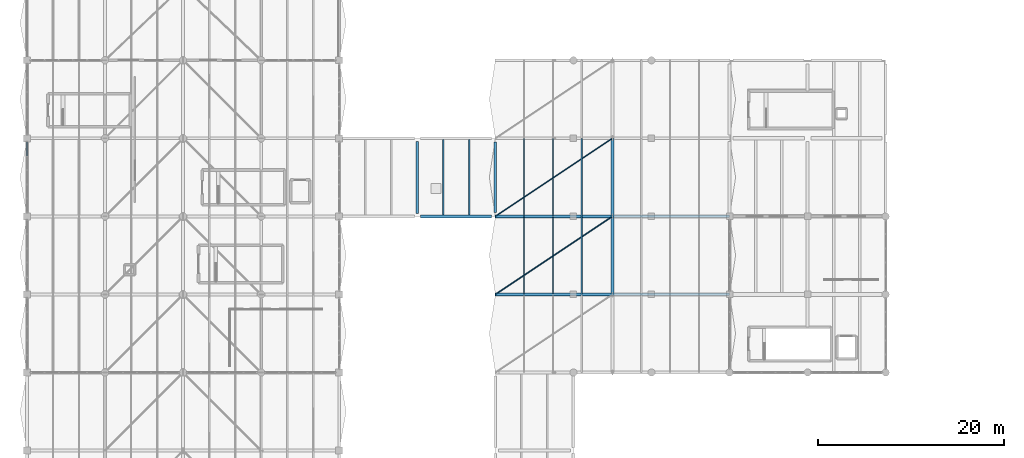
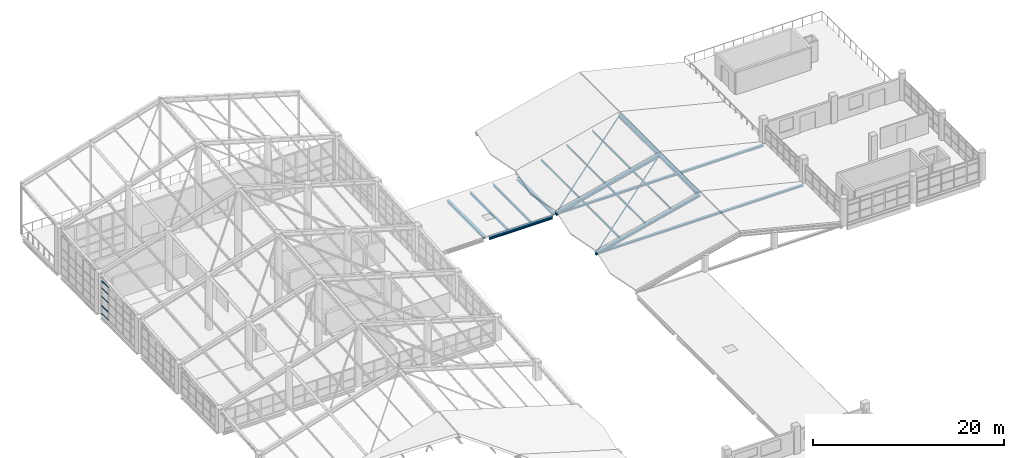
# One storey, part 42 of 95: 19 members, 5 beams, 1 element without a shape of its own.
"""IFC4 building model written with IfcOpenShell, lengths in metres."""

from ifc_helpers import new_model, si_unit, direction, frame, origin, origin_2d, place, context, subcontext, project, spatial, hollow_rectangle, hollow_circle, i_section, extrude, material, layer, layer_set, material_profile, profile_set, type_object, element, aggregate, save


model = new_model("IFC4")

# Units and contexts
model_context = context("Model", 3, precision=1e-05, world=origin(), true_north=direction((0.0, 1.0)))
body_context = subcontext(model_context, "Body", "Model", "MODEL_VIEW")
ifc_project = project(units=[si_unit("LENGTHUNIT", "METRE"), si_unit("AREAUNIT", "SQUARE_METRE"), si_unit("VOLUMEUNIT", "CUBIC_METRE"), si_unit("PLANEANGLEUNIT", "RADIAN"), si_unit("MASSUNIT", "GRAM", prefix="KILO"), si_unit("THERMODYNAMICTEMPERATUREUNIT", "KELVIN"), si_unit("POWERUNIT", "WATT")], contexts=[model_context])

# Site, building, storey
site_placement = place(None, origin())
site = spatial("IfcSite", under=ifc_project, at=site_placement, CompositionType="ELEMENT")
building_placement = place(site_placement, origin())
building = spatial("IfcBuilding", under=site, at=building_placement, Name="Mavoryth Pier Ferry Terminal", CompositionType="ELEMENT")
storey_placement = place(building_placement, frame((0.0, 0.0, 9.60009765625)))
storey = spatial("IfcBuildingStorey", under=building, at=storey_placement, Name="L02", CompositionType="ELEMENT", Elevation=9.60009765625)

# Beam
ifc_material_1 = material(Name="Steel S355J2", Category="steel")
ifc_material_profile_1 = material_profile(ifc_material_1, i_section(OverallWidth=0.300048828125, OverallDepth=0.31005859375, WebThickness=0.009033203125, FlangeThickness=0.015380859375, FilletRadius=0.027099609375, at=origin_2d()), Name="HEA 320", Category="steel")
ifc_profile_set_1 = profile_set([ifc_material_profile_1], Name="Steel S355J2 - HEA 320")
beam_type_1 = type_object("IfcBeamType", Name="Beam-Steel-HEA320", PredefinedType="BEAM", material=ifc_profile_set_1)
beam_1_placement = place(storey_placement, frame((42.0, 89.52490234375, -0.315185546875), z_axis=(0.0, 1.0, 0.0), x_axis=(-1.0, 0.0, 0.0)))
element("IfcBeam", 1, at=beam_1_placement, inside=storey, type_object=beam_type_1, Name="Beam B02-SB06-0691", PredefinedType="BEAM", context=body_context, shape_type="SweptSolid", body=[
    extrude(i_section(OverallWidth=0.300048828125, OverallDepth=0.31005859375, WebThickness=0.009033203125, FlangeThickness=0.015380859375, FilletRadius=0.027099609375, at=origin_2d()), origin(), (0.0, 0.0, 1.0), 7.75),
])

# Members
ifc_material_profile_2 = material_profile(ifc_material_1, hollow_circle(Radius=0.06982421875, WallThickness=0.008056640625, at=origin_2d()), Name="CHS 139.7x8.0", Category="steel")
ifc_profile_set_2 = profile_set([ifc_material_profile_2], Name="Steel S355J2 - CHS 139.7x8.0")
member_type_1 = type_object("IfcMemberType", Name="Brace-Tie-CHS140", PredefinedType="BRACE", material=ifc_profile_set_2)
for number, where, z_axis, x_axis, name in (
    (2, (50.39990234375, 80.800048828125, -0.045654296875), (0.814710583131, 0.543129864817, 0.203117246137), (-0.55469275529, 0.832055254913, 0.0), "Steel Member MB-L02-0220"),
    (3, (50.39990234375, 89.199951171875, -0.045654296875), (0.814703597956, 0.543140993894, 0.203115504648), (-0.554703916643, 0.832047814047, 0.0), "Steel Member MB-L02-0228"),
):
    element("IfcMember", number, at=place(storey_placement, frame(where, z_axis=z_axis, x_axis=x_axis)), inside=storey, type_object=member_type_1, Name=name, PredefinedType="BRACE", context=body_context, shape_type="SweptSolid", body=[
        extrude(hollow_circle(Radius=0.06982421875, WallThickness=0.008056640625, at=origin_2d()), origin(), (0.0, 0.0, 1.0), 15.4658203125),
    ])
ifc_material_profile_3 = material_profile(ifc_material_1, i_section(OverallWidth=0.300048828125, OverallDepth=0.489990234375, WebThickness=0.011962890625, FlangeThickness=0.02294921875, FilletRadius=0.027099609375, at=origin_2d()), Name="HEA 500", Category="steel")
ifc_profile_set_3 = profile_set([ifc_material_profile_3], Name="Steel S355J2 - HEA 500")
member_type_2 = type_object("IfcMemberType", Name="Chord-Ridge-HEA500", PredefinedType="CHORD", material=ifc_profile_set_3)
member_1_placement = place(storey_placement, frame((63.0, 80.800048828125, 3.095703125), z_axis=(0.0, 1.0, 0.0), x_axis=(-1.0, 0.0, 0.0)))
element("IfcMember", 4, at=member_1_placement, inside=storey, type_object=member_type_2, Name="Steel Member MB-L02-0213", PredefinedType="CHORD", context=body_context, shape_type="SweptSolid", body=[
    extrude(i_section(OverallWidth=0.300048828125, OverallDepth=0.489990234375, WebThickness=0.011962890625, FlangeThickness=0.02294921875, FilletRadius=0.027099609375, at=origin_2d()), origin(), (0.0, 0.0, 1.0), 8.39990234375),
])
member_2_placement = place(storey_placement, frame((63.0, 89.199951171875, 3.095703125), z_axis=(0.0, 1.0, 0.0), x_axis=(-1.0, 0.0, 0.0)))
element("IfcMember", 5, at=member_2_placement, inside=storey, type_object=member_type_2, Name="Steel Member MB-L02-0221", PredefinedType="CHORD", context=body_context, shape_type="SweptSolid", body=[
    extrude(i_section(OverallWidth=0.300048828125, OverallDepth=0.489990234375, WebThickness=0.011962890625, FlangeThickness=0.02294921875, FilletRadius=0.027099609375, at=origin_2d()), origin(), (0.0, 0.0, 1.0), 8.400146484375),
])
ifc_material_profile_4 = material_profile(ifc_material_1, i_section(OverallWidth=0.260009765625, OverallDepth=0.25, WebThickness=0.007568359375, FlangeThickness=0.012451171875, FilletRadius=0.02392578125, at=origin_2d()), Name="HEA 260", Category="steel")
ifc_profile_set_4 = profile_set([ifc_material_profile_4], Name="Steel S355J2 - HEA 260")
member_type_3 = type_object("IfcMemberType", Name="Chord-Tie-HEA260", PredefinedType="CHORD", material=ifc_profile_set_4)
for number, where, z_axis, x_axis, name in (
    (6, (50.39990234375, 80.800048828125, -0.045654296875), (1.0, 0.0, 0.0), (0.0, 1.0, 0.0), "Steel Member MB-L02-0195"),
    (7, (50.39990234375, 89.199951171875, -0.045654296875), (1.0, 0.0, 0.0), (0.0, 1.0, 0.0), "Steel Member MB-L02-0198"),
):
    element("IfcMember", number, at=place(storey_placement, frame(where, z_axis=z_axis, x_axis=x_axis)), inside=storey, type_object=member_type_3, Name=name, PredefinedType="CHORD", context=body_context, shape_type="SweptSolid", body=[
        extrude(i_section(OverallWidth=0.260009765625, OverallDepth=0.25, WebThickness=0.007568359375, FlangeThickness=0.012451171875, FilletRadius=0.02392578125, at=origin_2d()), origin(), (0.0, 0.0, 1.0), 25.2001953125),
    ])

# Beams
ifc_material_profile_5 = material_profile(ifc_material_1, i_section(OverallWidth=0.14990234375, OverallDepth=0.300048828125, WebThickness=0.007080078125, FlangeThickness=0.0107421875, FilletRadius=0.014892578125, at=origin_2d()), Name="IPE 300", Category="steel")
ifc_profile_set_5 = profile_set([ifc_material_profile_5], Name="Steel S355J2 - IPE 300")
beam_type_2 = type_object("IfcBeamType", Name="Joist-Steel-IPE300", PredefinedType="JOIST", material=ifc_profile_set_5)
for number, where, z_axis, x_axis, name in (
    (8, (44.800048828125, 89.35009765625, -0.31005859375), (0.0, 1.0, 0.0), (-1.0, 0.0, 0.0), "Beam B02-SJ04-0695"),
    (9, (47.60009765625, 89.35009765625, -0.31005859375), (0.0, 1.0, 0.0), (-1.0, 0.0, 0.0), "Beam B02-SJ04-0696"),
):
    element("IfcBeam", number, at=place(storey_placement, frame(where, z_axis=z_axis, x_axis=x_axis)), inside=storey, type_object=beam_type_2, Name=name, PredefinedType="JOIST", context=body_context, shape_type="SweptSolid", body=[
        extrude(i_section(OverallWidth=0.14990234375, OverallDepth=0.300048828125, WebThickness=0.007080078125, FlangeThickness=0.0107421875, FilletRadius=0.014892578125, at=origin_2d()), origin(), (0.0, 0.0, 1.0), 8.099853515625),
    ])

# Members
ifc_material_profile_6 = material_profile(ifc_material_1, i_section(OverallWidth=0.1201171875, OverallDepth=0.239990234375, WebThickness=0.006103515625, FlangeThickness=0.009765625, FilletRadius=0.014892578125, at=origin_2d()), Name="IPE 240", Category="steel")
ifc_profile_set_6 = profile_set([ifc_material_profile_6], Name="Steel S355J2 - IPE 240")
member_type_4 = type_object("IfcMemberType", Name="Purlin-Roof-IPE240", PredefinedType="PURLIN", material=ifc_profile_set_6)
for number, where, z_axis, x_axis, name in (
    (10, (53.5, 80.800048828125, 0.730712890625), (0.0, 1.0, 0.0), (-1.0, 0.0, 0.0), "Steel Member MB-L02-0214"),
    (11, (56.60009765625, 80.800048828125, 1.50732421875), (0.0, 1.0, 0.0), (-1.0, 0.0, 0.0), "Steel Member MB-L02-0215"),
    (12, (59.699951171875, 80.800048828125, 2.28369140625), (0.0, 1.0, 0.0), (-1.0, 0.0, 0.0), "Steel Member MB-L02-0216"),
):
    element("IfcMember", number, at=place(storey_placement, frame(where, z_axis=z_axis, x_axis=x_axis)), inside=storey, type_object=member_type_4, Name=name, PredefinedType="PURLIN", context=body_context, shape_type="SweptSolid", body=[
        extrude(i_section(OverallWidth=0.1201171875, OverallDepth=0.239990234375, WebThickness=0.006103515625, FlangeThickness=0.009765625, FilletRadius=0.014892578125, at=origin_2d()), origin(), (0.0, 0.0, 1.0), 8.39990234375),
    ])
for number, where, z_axis, x_axis, name in (
    (13, (53.5, 89.199951171875, 0.730712890625), (0.0, 1.0, 0.0), (-1.0, 0.0, 0.0), "Steel Member MB-L02-0222"),
    (14, (56.60009765625, 89.199951171875, 1.50732421875), (0.0, 1.0, 0.0), (-1.0, 0.0, 0.0), "Steel Member MB-L02-0223"),
    (15, (59.699951171875, 89.199951171875, 2.28369140625), (0.0, 1.0, 0.0), (-1.0, 0.0, 0.0), "Steel Member MB-L02-0224"),
):
    element("IfcMember", number, at=place(storey_placement, frame(where, z_axis=z_axis, x_axis=x_axis)), inside=storey, type_object=member_type_4, Name=name, PredefinedType="PURLIN", context=body_context, shape_type="SweptSolid", body=[
        extrude(i_section(OverallWidth=0.1201171875, OverallDepth=0.239990234375, WebThickness=0.006103515625, FlangeThickness=0.009765625, FilletRadius=0.014892578125, at=origin_2d()), origin(), (0.0, 0.0, 1.0), 8.400146484375),
    ])
ifc_material_profile_7 = material_profile(ifc_material_1, i_section(OverallWidth=0.300048828125, OverallDepth=0.340087890625, WebThickness=0.011962890625, FlangeThickness=0.021484375, FilletRadius=0.027099609375, at=origin_2d()), Name="HEB 340", Category="steel")
ifc_profile_set_7 = profile_set([ifc_material_profile_7], Name="Steel S355J2 - HEB 340")
member_type_5 = type_object("IfcMemberType", Name="Rafter-Pitched-HEB340", PredefinedType="RAFTER", material=ifc_profile_set_7)
member_3_placement = place(storey_placement, frame((50.39990234375, 80.800048828125, -0.045654296875), z_axis=(0.970299337146, 0.0, 0.241907412731), x_axis=(0.0, 1.0, 0.0)))
element("IfcMember", 16, at=member_3_placement, inside=storey, type_object=member_type_5, Name="Steel Member MB-L02-0193", PredefinedType="RAFTER", context=body_context, shape_type="SweptSolid", body=[
    extrude(i_section(OverallWidth=0.300048828125, OverallDepth=0.340087890625, WebThickness=0.011962890625, FlangeThickness=0.021484375, FilletRadius=0.027099609375, at=origin_2d()), origin(), (0.0, 0.0, 1.0), 12.98583984375),
])
ifc_material_profile_8 = material_profile(ifc_material_1, i_section(OverallWidth=0.300048828125, OverallDepth=0.39990234375, WebThickness=0.013427734375, FlangeThickness=0.02392578125, FilletRadius=0.027099609375, at=origin_2d()), Name="HEB 400", Category="steel")
ifc_profile_set_8 = profile_set([ifc_material_profile_8], Name="Steel S355J2 - HEB 400")
member_type_6 = type_object("IfcMemberType", Name="Rafter-Pitched-HEB400", PredefinedType="RAFTER", material=ifc_profile_set_8)
member_4_placement = place(storey_placement, frame((50.39990234375, 89.199951171875, -0.045654296875), z_axis=(0.970299337146, 0.0, 0.241907412731), x_axis=(0.0, 1.0, 0.0)))
element("IfcMember", 17, at=member_4_placement, inside=storey, type_object=member_type_6, Name="Steel Member MB-L02-0196", PredefinedType="RAFTER", context=body_context, shape_type="SweptSolid", body=[
    extrude(i_section(OverallWidth=0.300048828125, OverallDepth=0.39990234375, WebThickness=0.013427734375, FlangeThickness=0.02392578125, FilletRadius=0.027099609375, at=origin_2d()), origin(), (0.0, 0.0, 1.0), 12.98583984375),
])

# Beams
ifc_material_profile_9 = material_profile(ifc_material_1, i_section(OverallWidth=0.300048828125, OverallDepth=0.320068359375, WebThickness=0.011474609375, FlangeThickness=0.0205078125, FilletRadius=0.027099609375, at=origin_2d()), Name="HEB 320", Category="steel")
ifc_profile_set_9 = profile_set([ifc_material_profile_9], Name="Steel S355J2 - HEB 320")
beam_type_3 = type_object("IfcBeamType", Name="Spandrel-Steel-HEB320", PredefinedType="SPANDREL", material=ifc_profile_set_9)
beam_2_placement = place(storey_placement, frame((42.324951171875, 89.199951171875, -0.320068359375), z_axis=(1.0, 0.0, 0.0), x_axis=(0.0, 1.0, 0.0)))
element("IfcBeam", 18, at=beam_2_placement, inside=storey, type_object=beam_type_3, Name="Beam B02-SP04-0688", PredefinedType="SPANDREL", context=body_context, shape_type="SweptSolid", body=[
    extrude(i_section(OverallWidth=0.300048828125, OverallDepth=0.320068359375, WebThickness=0.011474609375, FlangeThickness=0.0205078125, FilletRadius=0.027099609375, at=origin_2d()), origin(), (0.0, 0.0, 1.0), 7.68505859375),
])
beam_3_placement = place(storey_placement, frame((50.39990234375, 89.590087890625, -0.320068359375), z_axis=(0.0, 1.0, 0.0), x_axis=(-1.0, 0.0, 0.0)))
element("IfcBeam", 19, at=beam_3_placement, inside=storey, type_object=beam_type_3, Name="Beam B02-SP04-0692", PredefinedType="SPANDREL", context=body_context, shape_type="SweptSolid", body=[
    extrude(i_section(OverallWidth=0.300048828125, OverallDepth=0.320068359375, WebThickness=0.011474609375, FlangeThickness=0.0205078125, FilletRadius=0.027099609375, at=origin_2d()), origin(), (0.0, 0.0, 1.0), 7.619873046875),
])

# Curtain wall, members
ifc_material_2 = material(Name="Anodised Aluminium and Solar-Control Low-E Glass", Category="aluminium")
ifc_layer = layer(ifc_material_2, 0.179931640625, Name="Anodised Aluminium and Solar-Control Low-E Glass", Category="aluminium")
ifc_layer_set = layer_set([ifc_layer], Name="Anodised Aluminium and Solar-Control Low-E Glass - CW-Concourse-Mod1400")
curtain_wall_type = type_object("IfcCurtainWallType", Name="CW-Concourse-Mod1400", PredefinedType="USERDEFINED", material=ifc_layer_set)
curtain_wall_placement = place(storey_placement, origin())
curtain_wall = element("IfcCurtainWall", 20, at=curtain_wall_placement, inside=storey, type_object=curtain_wall_type, Name="Curtain Wall CW-0222-028", ObjectType="UNITISED CURTAIN WALL", PredefinedType="USERDEFINED")
ifc_material_3 = material(Name="Anodised Aluminium EN AW-6063", Category="aluminium")
ifc_material_profile_10 = material_profile(ifc_material_3, hollow_rectangle(XDim=0.06005859375, YDim=0.125, WallThickness=0.00390625, InnerFilletRadius=0.00390625, OuterFilletRadius=0.008056640625, at=origin_2d()), Name="AL-TRAN 125x60x4", Category="aluminium")
ifc_profile_set_10 = profile_set([ifc_material_profile_10], Name="Anodised Aluminium EN AW-6063 - AL-TRAN 125x60x4")
member_type_7 = type_object("IfcMemberType", Name="Transom-Alum-125x60", PredefinedType="USERDEFINED", material=ifc_profile_set_10)
member_5_placement = place(storey_placement, frame((0.0, 97.1650390625, 0.02978515625), z_axis=(0.0, -1.0, 0.0), x_axis=(1.0, 0.0, 0.0)))
member_5 = element("IfcMember", 21, at=member_5_placement, type_object=member_type_7, Name="CW01 transom 1.1", ObjectType="TRANSOM", PredefinedType="USERDEFINED", context=body_context, shape_type="SweptSolid", body=[
    extrude(hollow_rectangle(XDim=0.06005859375, YDim=0.125, WallThickness=0.00390625, InnerFilletRadius=0.00390625, OuterFilletRadius=0.008056640625, at=origin_2d()), origin(), (0.0, 0.0, 1.0), 1.43994140625),
])
member_6_placement = place(storey_placement, frame((0.0, 97.1650390625, 1.0498046875), z_axis=(0.0, -1.0, 0.0), x_axis=(1.0, 0.0, 0.0)))
member_6 = element("IfcMember", 22, at=member_6_placement, type_object=member_type_7, Name="CW01 transom 1.2", ObjectType="TRANSOM", PredefinedType="USERDEFINED", context=body_context, shape_type="SweptSolid", body=[
    extrude(hollow_rectangle(XDim=0.06005859375, YDim=0.125, WallThickness=0.00390625, InnerFilletRadius=0.00390625, OuterFilletRadius=0.008056640625, at=origin_2d()), origin(), (0.0, 0.0, 1.0), 1.43994140625),
])
member_7_placement = place(storey_placement, frame((0.0, 97.1650390625, 2.25), z_axis=(0.0, -1.0, 0.0), x_axis=(1.0, 0.0, 0.0)))
member_7 = element("IfcMember", 23, at=member_7_placement, type_object=member_type_7, Name="CW01 transom 1.3", ObjectType="TRANSOM", PredefinedType="USERDEFINED", context=body_context, shape_type="SweptSolid", body=[
    extrude(hollow_rectangle(XDim=0.06005859375, YDim=0.125, WallThickness=0.00390625, InnerFilletRadius=0.00390625, OuterFilletRadius=0.008056640625, at=origin_2d()), origin(), (0.0, 0.0, 1.0), 1.43994140625),
])
member_8_placement = place(storey_placement, frame((0.0, 97.1650390625, 3.2998046875), z_axis=(0.0, -1.0, 0.0), x_axis=(1.0, 0.0, 0.0)))
member_8 = element("IfcMember", 24, at=member_8_placement, type_object=member_type_7, Name="CW01 transom 1.4", ObjectType="TRANSOM", PredefinedType="USERDEFINED", context=body_context, shape_type="SweptSolid", body=[
    extrude(hollow_rectangle(XDim=0.06005859375, YDim=0.125, WallThickness=0.00390625, InnerFilletRadius=0.00390625, OuterFilletRadius=0.008056640625, at=origin_2d()), origin(), (0.0, 0.0, 1.0), 1.43994140625),
])
member_9_placement = place(storey_placement, frame((0.0, 97.1650390625, 4.191650390625), z_axis=(0.0, -1.0, 0.0), x_axis=(1.0, 0.0, 0.0)))
member_9 = element("IfcMember", 25, at=member_9_placement, type_object=member_type_7, Name="CW01 transom 1.5", ObjectType="TRANSOM", PredefinedType="USERDEFINED", context=body_context, shape_type="SweptSolid", body=[
    extrude(hollow_rectangle(XDim=0.06005859375, YDim=0.125, WallThickness=0.00390625, InnerFilletRadius=0.00390625, OuterFilletRadius=0.008056640625, at=origin_2d()), origin(), (0.0, 0.0, 1.0), 1.43994140625),
])
aggregate(curtain_wall, [member_5, member_6, member_7, member_8, member_9])

save(model, "model.ifc")
